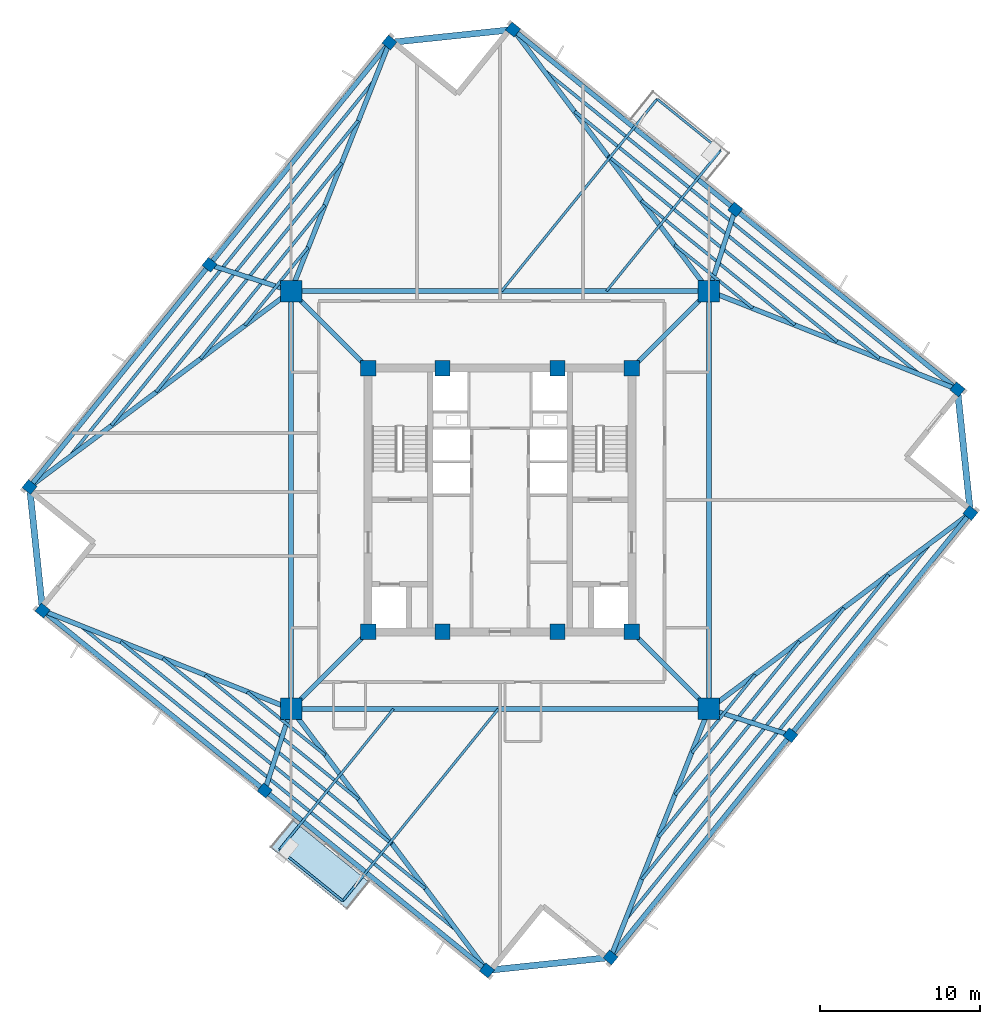
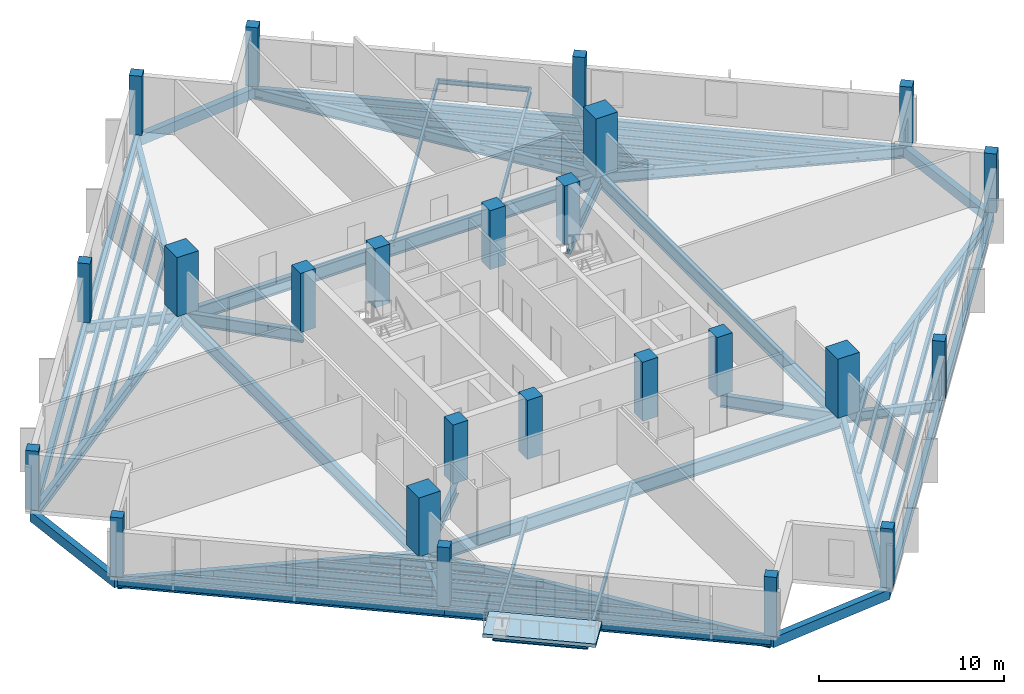
# One storey, part 1 of 10: 58 beams, 24 columns, 1 slab.
"""IFC4 building model written with IfcOpenShell, lengths in metres."""

from ifc_helpers import new_model, si_unit, direction, frame, origin, origin_2d, place, context, subcontext, project, spatial, polyline, rectangle, i_section, outline, extrude, source, transform, mapped, material, layer, layer_set, material_profile, profile_set, type_object, element, save


model = new_model("IFC4")

# Units and contexts
model_context = context("Model", 3, precision=1e-05, world=origin(), true_north=direction((0.0, 1.0)))
body_context = subcontext(model_context, "Body", "Model", "MODEL_VIEW")
ifc_project = project(units=[si_unit("LENGTHUNIT", "METRE"), si_unit("AREAUNIT", "SQUARE_METRE"), si_unit("VOLUMEUNIT", "CUBIC_METRE"), si_unit("PLANEANGLEUNIT", "RADIAN"), si_unit("MASSUNIT", "GRAM", prefix="KILO"), si_unit("THERMODYNAMICTEMPERATUREUNIT", "KELVIN")], contexts=[model_context])

# Site, building, storey
site_placement = place(None, origin())
site = spatial("IfcSite", under=ifc_project, at=site_placement, CompositionType="ELEMENT")
building_placement = place(site_placement, origin())
building = spatial("IfcBuilding", under=site, at=building_placement, Name="Kosmvard Interchange Tower", CompositionType="ELEMENT")
storey_placement = place(building_placement, frame((0.0, 0.0, 252.39990234375)))
storey = spatial("IfcBuildingStorey", under=building, at=storey_placement, Name="L61", CompositionType="ELEMENT", Elevation=252.39990234375)

# Columns
ifc_material_1 = material(Name="Concrete C60/75", Category="concrete")
ifc_material_profile_1 = material_profile(ifc_material_1, rectangle(XDim=0.949951171875, YDim=0.949951171875, at=origin_2d()), Name="CP 950x950")
ifc_profile_set_1 = profile_set([ifc_material_profile_1], Name="Concrete C60/75")
column_type_1 = type_object("IfcColumnType", Name="Core Boundary Pilaster 950x950 C60/75", PredefinedType="PILASTER", material=ifc_profile_set_1)
shared_shape_1 = source(origin(), body_context, "Body", "SweptSolid", [
    extrude(rectangle(XDim=0.949951171875, YDim=0.949951171875, at=origin_2d()), origin(), (0.0, 0.0, 1.0), 3.900146484375),
])
for number, where, z_axis, x_axis, name in (
    (1, (-8.25, -8.25, 0.0), (0.0, 0.0, 1.0), (1.0, 0.0, 0.0), "L61 Core Pilaster CP1"),
    (2, (8.25, -8.25, 0.0), (0.0, 0.0, 1.0), (1.0, 0.0, 0.0), "L61 Core Pilaster CP2"),
    (3, (8.25, 8.25, 0.0), (0.0, 0.0, 1.0), (1.0, 0.0, 0.0), "L61 Core Pilaster CP3"),
    (4, (-8.25, 8.25, 0.0), (0.0, 0.0, 1.0), (1.0, 0.0, 0.0), "L61 Core Pilaster CP4"),
    (5, (-3.60009765625, -8.25, 0.0), (0.0, 0.0, 1.0), (1.0, 0.0, 0.0), "L61 Core Pilaster CP5"),
    (6, (3.60009765625, -8.25, 0.0), (0.0, 0.0, 1.0), (1.0, 0.0, 0.0), "L61 Core Pilaster CP6"),
    (7, (-3.60009765625, 8.25, 0.0), (0.0, 0.0, 1.0), (1.0, 0.0, 0.0), "L61 Core Pilaster CP7"),
    (8, (3.60009765625, 8.25, 0.0), (0.0, 0.0, 1.0), (1.0, 0.0, 0.0), "L61 Core Pilaster CP8"),
):
    element("IfcColumn", number, at=place(storey_placement, frame(where, z_axis=z_axis, x_axis=x_axis)), inside=storey, type_object=column_type_1, Name=name, PredefinedType="PILASTER", context=body_context, shape_type="MappedRepresentation", body=[
        mapped(shared_shape_1, transform((0.0, 0.0, 0.0), scale=1.0)),
    ])
ifc_material_profile_2 = material_profile(ifc_material_1, rectangle(XDim=1.35009765625, YDim=1.35009765625, at=origin_2d()), Name="MC 1350x1350")
ifc_profile_set_2 = profile_set([ifc_material_profile_2], Name="Concrete C60/75")
column_type_2 = type_object("IfcColumnType", Name="Composite Mega-Column 1350x1350 C60/75", PredefinedType="COLUMN", material=ifc_profile_set_2)
shared_shape_2 = source(origin(), body_context, "Body", "SweptSolid", [
    extrude(rectangle(XDim=1.35009765625, YDim=1.35009765625, at=origin_2d()), origin(), (0.0, 0.0, 1.0), 3.900146484375),
])
for number, where, z_axis, x_axis, name in (
    (9, (-13.0810546875, -13.0810546875, 0.0), (0.0, 0.0, 1.0), (1.0, 0.0, 0.0), "L61 Corner Mega-Column MC1"),
    (10, (13.0810546875, -13.0810546875, 0.0), (0.0, 0.0, 1.0), (1.0, 0.0, 0.0), "L61 Corner Mega-Column MC2"),
    (11, (13.0810546875, 13.0810546875, 0.0), (0.0, 0.0, 1.0), (1.0, 0.0, 0.0), "L61 Corner Mega-Column MC3"),
    (12, (-13.0810546875, 13.0810546875, 0.0), (0.0, 0.0, 1.0), (1.0, 0.0, 0.0), "L61 Corner Mega-Column MC4"),
):
    element("IfcColumn", number, at=place(storey_placement, frame(where, z_axis=z_axis, x_axis=x_axis)), inside=storey, type_object=column_type_2, Name=name, PredefinedType="COLUMN", context=body_context, shape_type="MappedRepresentation", body=[
        mapped(shared_shape_2, transform((0.0, 0.0, 0.0), scale=1.0)),
    ])
ifc_material_2 = material(Name="Concrete C50/60", Category="concrete")
ifc_material_profile_3 = material_profile(ifc_material_2, rectangle(XDim=0.64990234375, YDim=0.699951171875, at=origin_2d()), Name="TC 700x650")
ifc_profile_set_3 = profile_set([ifc_material_profile_3], Name="Concrete C50/60")
column_type_3 = type_object("IfcColumnType", Name="Zone 4 Perimeter Pier Column 700x650 C50/60", PredefinedType="COLUMN", material=ifc_profile_set_3)
shared_shape_3 = source(origin(), body_context, "Body", "SweptSolid", [
    extrude(rectangle(XDim=0.64990234375, YDim=0.699951171875, at=origin_2d()), origin(), (0.0, 0.0, 1.0), 3.900146484375),
])
for number, where, z_axis, x_axis, name in (
    (13, (6.92041015625, -28.636962890625, 0.0), (0.0, 0.0, 1.0), (0.62932039105, 0.777145961457, 0.0), "L61 Perimeter Pier Column TC-S1"),
    (14, (18.185302734375, -14.72607421875, 0.0), (0.0, 0.0, 1.0), (0.62932039105, 0.777145961457, 0.0), "L61 Perimeter Pier Column TC-S2"),
    (15, (29.449951171875, -0.815185546875, 0.0), (0.0, 0.0, 1.0), (0.62932039105, 0.777145961457, 0.0), "L61 Perimeter Pier Column TC-S3"),
    (16, (28.636962890625, 6.92041015625, 0.0), (0.0, 0.0, 1.0), (0.62932039105, 0.777145961457, 0.0), "L61 Perimeter Pier Column TC-E1"),
    (17, (14.72607421875, 18.185302734375, 0.0), (0.0, 0.0, 1.0), (0.62932039105, 0.777145961457, 0.0), "L61 Perimeter Pier Column TC-E2"),
    (18, (0.815185546875, 29.449951171875, 0.0), (0.0, 0.0, 1.0), (0.62932039105, 0.777145961457, 0.0), "L61 Perimeter Pier Column TC-E3"),
    (19, (-6.92041015625, 28.636962890625, 0.0), (0.0, 0.0, 1.0), (0.62932039105, 0.777145961457, 0.0), "L61 Perimeter Pier Column TC-N1"),
    (20, (-18.185302734375, 14.72607421875, 0.0), (0.0, 0.0, 1.0), (0.62932039105, 0.777145961457, 0.0), "L61 Perimeter Pier Column TC-N2"),
    (21, (-29.449951171875, 0.815185546875, 0.0), (0.0, 0.0, 1.0), (0.62932039105, 0.777145961457, 0.0), "L61 Perimeter Pier Column TC-N3"),
    (22, (-28.636962890625, -6.92041015625, 0.0), (0.0, 0.0, 1.0), (0.62932039105, 0.777145961457, 0.0), "L61 Perimeter Pier Column TC-W1"),
    (23, (-14.72607421875, -18.185302734375, 0.0), (0.0, 0.0, 1.0), (0.62932039105, 0.777145961457, 0.0), "L61 Perimeter Pier Column TC-W2"),
    (24, (-0.815185546875, -29.449951171875, 0.0), (0.0, 0.0, 1.0), (0.62932039105, 0.777145961457, 0.0), "L61 Perimeter Pier Column TC-W3"),
):
    element("IfcColumn", number, at=place(storey_placement, frame(where, z_axis=z_axis, x_axis=x_axis)), inside=storey, type_object=column_type_3, Name=name, PredefinedType="COLUMN", context=body_context, shape_type="MappedRepresentation", body=[
        mapped(shared_shape_3, transform((0.0, 0.0, 0.0), scale=1.0)),
    ])

# Beams
ifc_material_3 = material(Name="Steel S355", Category="steel")
ifc_material_profile_4 = material_profile(ifc_material_3, i_section(OverallWidth=0.14990234375, OverallDepth=0.300048828125, WebThickness=0.007080078125, FlangeThickness=0.0107421875, FilletRadius=0.014892578125, at=origin_2d()), Name="IPE 300")
ifc_profile_set_4 = profile_set([ifc_material_profile_4], Name="Steel S355")
beam_type_1 = type_object("IfcBeamType", Name="Balcony Edge Header Joist IPE 300 S355", PredefinedType="JOIST", material=ifc_profile_set_4)
shared_shape_4 = source(origin(), body_context, "Body", "SweptSolid", [
    extrude(i_section(OverallWidth=0.14990234375, OverallDepth=0.300048828125, WebThickness=0.007080078125, FlangeThickness=0.0107421875, FilletRadius=0.014892578125, at=origin_2d()), origin(), (0.0, 0.0, 1.0), 5.099853515625),
])
for number, where, z_axis, x_axis, name in (
    (25, (13.80322265625, 21.89208984375, -0.389892578125), (-0.777146757369, 0.629319408179, 0.0), (-0.629319408179, -0.777146757369, 0.0), "BM-L61-BJH1"),
    (26, (-13.80322265625, -21.89208984375, -0.389892578125), (0.777146757369, -0.629319408179, 0.0), (0.629319408179, 0.777146757369, 0.0), "BM-L61-BJH2"),
):
    element("IfcBeam", number, at=place(storey_placement, frame(where, z_axis=z_axis, x_axis=x_axis)), inside=storey, type_object=beam_type_1, Name=name, PredefinedType="JOIST", context=body_context, shape_type="MappedRepresentation", body=[
        mapped(shared_shape_4, transform((0.0, 0.0, 0.0), scale=1.0)),
    ])
ifc_material_profile_5 = material_profile(ifc_material_3, i_section(OverallWidth=0.300048828125, OverallDepth=0.800048828125, WebThickness=0.017578125, FlangeThickness=0.032958984375, FilletRadius=0.027099609375, at=origin_2d()), Name="HEB 800")
ifc_profile_set_5 = profile_set([ifc_material_profile_5], Name="Steel S355")
beam_type_2 = type_object("IfcBeamType", Name="Primary Mega-Frame Girder HEB 800 S355", PredefinedType="BEAM", material=ifc_profile_set_5)
shared_shape_5 = source(origin(), body_context, "Body", "SweptSolid", [
    extrude(i_section(OverallWidth=0.300048828125, OverallDepth=0.800048828125, WebThickness=0.017578125, FlangeThickness=0.032958984375, FilletRadius=0.027099609375, at=origin_2d()), origin(), (0.0, 0.0, 1.0), 6.83203125),
])
for number, where, z_axis, x_axis, name in (
    (27, (-8.25, -8.25, -0.639892578125), (-0.707106781187, -0.707106781187, 0.0), (0.707106781187, -0.707106781187, 0.0), "L61 Radial Mega-Frame Girder 1"),
    (28, (8.25, -8.25, -0.639892578125), (0.707106781187, -0.707106781187, 0.0), (0.707106781187, 0.707106781187, 0.0), "L61 Radial Mega-Frame Girder 2"),
    (29, (8.25, 8.25, -0.639892578125), (0.707106781187, 0.707106781187, 0.0), (-0.707106781187, 0.707106781187, 0.0), "L61 Radial Mega-Frame Girder 3"),
    (30, (-8.25, 8.25, -0.639892578125), (-0.707106781187, 0.707106781187, 0.0), (-0.707106781187, -0.707106781187, 0.0), "L61 Radial Mega-Frame Girder 4"),
):
    element("IfcBeam", number, at=place(storey_placement, frame(where, z_axis=z_axis, x_axis=x_axis)), inside=storey, type_object=beam_type_2, Name=name, PredefinedType="BEAM", context=body_context, shape_type="MappedRepresentation", body=[
        mapped(shared_shape_5, transform((0.0, 0.0, 0.0), scale=1.0)),
    ])
ifc_material_profile_6 = material_profile(ifc_material_3, i_section(OverallWidth=0.300048828125, OverallDepth=0.89990234375, WebThickness=0.0185546875, FlangeThickness=0.034912109375, FilletRadius=0.030029296875, at=origin_2d()), Name="HEB 900")
ifc_profile_set_6 = profile_set([ifc_material_profile_6], Name="Steel S355")
beam_type_3 = type_object("IfcBeamType", Name="Mega-Column Ring Girder HEB 900 S355", PredefinedType="BEAM", material=ifc_profile_set_6)
shared_shape_6 = source(origin(), body_context, "Body", "SweptSolid", [
    extrude(i_section(OverallWidth=0.300048828125, OverallDepth=0.89990234375, WebThickness=0.0185546875, FlangeThickness=0.034912109375, FilletRadius=0.030029296875, at=origin_2d()), origin(), (0.0, 0.0, 1.0), 26.162109375),
])
for number, where, z_axis, x_axis, name in (
    (31, (-13.0810546875, -13.0810546875, -0.68994140625), (1.0, 0.0, 0.0), (0.0, 1.0, 0.0), "L61 Mega-Column Ring Girder 1"),
    (32, (13.0810546875, -13.0810546875, -0.68994140625), (0.0, 1.0, 0.0), (-1.0, 0.0, 0.0), "L61 Mega-Column Ring Girder 2"),
    (33, (13.0810546875, 13.0810546875, -0.68994140625), (-1.0, 0.0, 0.0), (0.0, -1.0, 0.0), "L61 Mega-Column Ring Girder 3"),
    (34, (-13.0810546875, 13.0810546875, -0.68994140625), (0.0, -1.0, 0.0), (1.0, 0.0, 0.0), "L61 Mega-Column Ring Girder 4"),
):
    element("IfcBeam", number, at=place(storey_placement, frame(where, z_axis=z_axis, x_axis=x_axis)), inside=storey, type_object=beam_type_3, Name=name, PredefinedType="BEAM", context=body_context, shape_type="MappedRepresentation", body=[
        mapped(shared_shape_6, transform((0.0, 0.0, 0.0), scale=1.0)),
    ])
ifc_material_profile_7 = material_profile(ifc_material_3, i_section(OverallWidth=0.300048828125, OverallDepth=0.60009765625, WebThickness=0.015380859375, FlangeThickness=0.030029296875, FilletRadius=0.027099609375, at=origin_2d()), Name="HEB 600")
ifc_profile_set_7 = profile_set([ifc_material_profile_7], Name="Steel S355")
beam_type_4 = type_object("IfcBeamType", Name="Perimeter Tie Girder HEB 600 S355", PredefinedType="BEAM", material=ifc_profile_set_7)
shared_shape_7 = source(origin(), body_context, "Body", "SweptSolid", [
    extrude(i_section(OverallWidth=0.300048828125, OverallDepth=0.60009765625, WebThickness=0.015380859375, FlangeThickness=0.030029296875, FilletRadius=0.027099609375, at=origin_2d()), origin(), (0.0, 0.0, 1.0), 17.89990234375),
])
for number, where, z_axis, x_axis, name in (
    (35, (6.92041015625, -28.636962890625, -0.539794921875), (0.629322990554, 0.777143856413, 0.0), (-0.777143856413, 0.629322990554, 0.0), "BM-L61-PR01"),
    (36, (18.185302734375, -14.72607421875, -0.539794921875), (0.629314753061, 0.777150526976, 0.0), (-0.777150526976, 0.629314753061, 0.0), "BM-L61-PR02"),
    (37, (28.636962890625, 6.92041015625, -0.539794921875), (-0.777143856413, 0.629322990554, 0.0), (-0.629322990554, -0.777143856413, 0.0), "BM-L61-PR04"),
    (38, (14.72607421875, 18.185302734375, -0.539794921875), (-0.777150526976, 0.629314753061, 0.0), (-0.629314753061, -0.777150526976, 0.0), "BM-L61-PR05"),
    (39, (-6.92041015625, 28.636962890625, -0.539794921875), (-0.629322990554, -0.777143856413, 0.0), (0.777143856413, -0.629322990554, 0.0), "BM-L61-PR07"),
    (40, (-18.185302734375, 14.72607421875, -0.539794921875), (-0.629314753061, -0.777150526976, 0.0), (0.777150526976, -0.629314753061, 0.0), "BM-L61-PR08"),
    (41, (-28.636962890625, -6.92041015625, -0.539794921875), (0.777143856413, -0.629322990554, 0.0), (0.629322990554, 0.777143856413, 0.0), "BM-L61-PR10"),
    (42, (-14.72607421875, -18.185302734375, -0.539794921875), (0.777150526976, -0.629314753061, 0.0), (0.629314753061, 0.777150526976, 0.0), "BM-L61-PR11"),
):
    element("IfcBeam", number, at=place(storey_placement, frame(where, z_axis=z_axis, x_axis=x_axis)), inside=storey, type_object=beam_type_4, Name=name, PredefinedType="BEAM", context=body_context, shape_type="MappedRepresentation", body=[
        mapped(shared_shape_7, transform((0.0, 0.0, 0.0), scale=1.0)),
    ])
ifc_material_profile_8 = material_profile(ifc_material_3, i_section(OverallWidth=0.300048828125, OverallDepth=0.699951171875, WebThickness=0.01708984375, FlangeThickness=0.031982421875, FilletRadius=0.027099609375, at=origin_2d()), Name="HEB 700")
ifc_profile_set_8 = profile_set([ifc_material_profile_8], Name="Steel S355")
beam_type_5 = type_object("IfcBeamType", Name="Primary Floor Girder HEB 700 S355", PredefinedType="BEAM", material=ifc_profile_set_8)
shared_shape_8 = source(origin(), body_context, "Body", "SweptSolid", [
    extrude(i_section(OverallWidth=0.300048828125, OverallDepth=0.699951171875, WebThickness=0.01708984375, FlangeThickness=0.031982421875, FilletRadius=0.027099609375, at=origin_2d()), origin(), (0.0, 0.0, 1.0), 16.7314453125),
])
for number, where, z_axis, x_axis, name in (
    (43, (13.0810546875, -13.0810546875, -0.58984375), (-0.368208500474, -0.929743244223, 0.0), (0.929743244223, -0.368208500474, 0.0), "BM-L61-RD01"),
    (44, (13.0810546875, 13.0810546875, -0.58984375), (0.929743244223, -0.368208500474, 0.0), (0.368208500474, 0.929743244223, 0.0), "BM-L61-RD04"),
    (45, (-13.0810546875, 13.0810546875, -0.58984375), (0.368208500474, 0.929743244223, 0.0), (-0.929743244223, 0.368208500474, 0.0), "BM-L61-RD07"),
    (46, (-13.0810546875, -13.0810546875, -0.58984375), (-0.929743244223, 0.368208500474, 0.0), (-0.368208500474, -0.929743244223, 0.0), "BM-L61-RD10"),
):
    element("IfcBeam", number, at=place(storey_placement, frame(where, z_axis=z_axis, x_axis=x_axis)), inside=storey, type_object=beam_type_5, Name=name, PredefinedType="BEAM", context=body_context, shape_type="MappedRepresentation", body=[
        mapped(shared_shape_8, transform((0.0, 0.0, 0.0), scale=1.0)),
    ])
ifc_material_profile_9 = material_profile(ifc_material_3, i_section(OverallWidth=0.300048828125, OverallDepth=0.64990234375, WebThickness=0.01611328125, FlangeThickness=0.031005859375, FilletRadius=0.027099609375, at=origin_2d()), Name="HEB 650")
ifc_profile_set_9 = profile_set([ifc_material_profile_9], Name="Steel S355")
beam_type_6 = type_object("IfcBeamType", Name="Primary Floor Girder HEB 650 S355", PredefinedType="BEAM", material=ifc_profile_set_9)
shared_shape_9 = source(origin(), body_context, "Body", "SweptSolid", [
    extrude(i_section(OverallWidth=0.300048828125, OverallDepth=0.64990234375, WebThickness=0.01611328125, FlangeThickness=0.031005859375, FilletRadius=0.027099609375, at=origin_2d()), origin(), (0.0, 0.0, 1.0), 5.36279296875),
])
for number, where, z_axis, x_axis, name in (
    (47, (13.0810546875, -13.0810546875, -0.56494140625), (0.951790966135, -0.306747382686, 0.0), (0.306747382686, 0.951790966135, 0.0), "BM-L61-RD02"),
    (48, (13.0810546875, 13.0810546875, -0.56494140625), (0.306747382686, 0.951790966135, 0.0), (-0.951790966135, 0.306747382686, 0.0), "BM-L61-RD05"),
    (49, (-13.0810546875, 13.0810546875, -0.56494140625), (-0.951790966135, 0.306747382686, 0.0), (-0.306747382686, -0.951790966135, 0.0), "BM-L61-RD08"),
    (50, (-13.0810546875, -13.0810546875, -0.56494140625), (-0.306747382686, -0.951790966135, 0.0), (0.951790966135, -0.306747382686, 0.0), "BM-L61-RD11"),
):
    element("IfcBeam", number, at=place(storey_placement, frame(where, z_axis=z_axis, x_axis=x_axis)), inside=storey, type_object=beam_type_6, Name=name, PredefinedType="BEAM", context=body_context, shape_type="MappedRepresentation", body=[
        mapped(shared_shape_9, transform((0.0, 0.0, 0.0), scale=1.0)),
    ])
ifc_material_4 = material(Name="Precast concrete C45/55", Category="concrete")
ifc_material_profile_10 = material_profile(ifc_material_4, rectangle(XDim=0.39990234375, YDim=0.64990234375, at=origin_2d()), Name="SL 400x650")
ifc_profile_set_10 = profile_set([ifc_material_profile_10], Name="Precast concrete C45/55")
beam_type_7 = type_object("IfcBeamType", Name="Precast Spandrel Lintel 400x650 C45/55", PredefinedType="LINTEL", material=ifc_profile_set_10)
shared_shape_10 = source(origin(), body_context, "Body", "SweptSolid", [
    extrude(rectangle(XDim=0.39990234375, YDim=0.64990234375, at=origin_2d()), origin(), (0.0, 0.0, 1.0), 7.7783203125),
])
for number, where, z_axis, x_axis, name in (
    (51, (29.449951171875, -0.815185546875, -0.56494140625), (-0.104521394525, 0.994522638298, 0.0), (-0.994522638298, -0.104521394525, 0.0), "BM-L61-SL1"),
    (52, (0.815185546875, 29.449951171875, -0.56494140625), (-0.994522638298, -0.104521394525, 0.0), (0.104521394525, -0.994522638298, 0.0), "BM-L61-SL2"),
    (53, (-29.449951171875, 0.815185546875, -0.56494140625), (0.104521394525, -0.994522638298, 0.0), (0.994522638298, 0.104521394525, 0.0), "BM-L61-SL3"),
    (54, (-0.815185546875, -29.449951171875, -0.56494140625), (0.994522638298, 0.104521394525, 0.0), (-0.104521394525, 0.994522638298, 0.0), "BM-L61-SL4"),
):
    element("IfcBeam", number, at=place(storey_placement, frame(where, z_axis=z_axis, x_axis=x_axis)), inside=storey, type_object=beam_type_7, Name=name, PredefinedType="LINTEL", context=body_context, shape_type="MappedRepresentation", body=[
        mapped(shared_shape_10, transform((0.0, 0.0, 0.0), scale=1.0)),
    ])
shared_shape_11 = source(origin(), body_context, "Body", "SweptSolid", [
    extrude(i_section(OverallWidth=0.300048828125, OverallDepth=0.699951171875, WebThickness=0.01708984375, FlangeThickness=0.031982421875, FilletRadius=0.027099609375, at=origin_2d()), origin(), (0.0, 0.0, 1.0), 20.45458984375),
])
for number, where, z_axis, x_axis, name in (
    (55, (13.0810546875, -13.0810546875, -0.58984375), (0.800253443036, 0.599661927179, 0.0), (-0.599661927179, 0.800253443036, 0.0), "BM-L61-RD03"),
    (56, (13.0810546875, 13.0810546875, -0.58984375), (-0.599661927179, 0.800253443036, 0.0), (-0.800253443036, -0.599661927179, 0.0), "BM-L61-RD06"),
    (57, (-13.0810546875, 13.0810546875, -0.58984375), (-0.800253443036, -0.599661927179, 0.0), (0.599661927179, -0.800253443036, 0.0), "BM-L61-RD09"),
    (58, (-13.0810546875, -13.0810546875, -0.58984375), (0.599661927179, -0.800253443036, 0.0), (0.800253443036, 0.599661927179, 0.0), "BM-L61-RD12"),
):
    element("IfcBeam", number, at=place(storey_placement, frame(where, z_axis=z_axis, x_axis=x_axis)), inside=storey, type_object=beam_type_5, Name=name, PredefinedType="BEAM", context=body_context, shape_type="MappedRepresentation", body=[
        mapped(shared_shape_11, transform((0.0, 0.0, 0.0), scale=1.0)),
    ])
ifc_material_profile_11 = material_profile(ifc_material_3, i_section(OverallWidth=0.18994140625, OverallDepth=0.449951171875, WebThickness=0.009521484375, FlangeThickness=0.0146484375, FilletRadius=0.02099609375, at=origin_2d()), Name="IPE 450")
ifc_profile_set_11 = profile_set([ifc_material_profile_11], Name="Steel S355")
beam_type_8 = type_object("IfcBeamType", Name="Mid-Rise Floor Joist IPE 450 S355", PredefinedType="JOIST", material=ifc_profile_set_11)
shared_shape_12 = source(origin(), body_context, "Body", "SweptSolid", [
    extrude(i_section(OverallWidth=0.18994140625, OverallDepth=0.449951171875, WebThickness=0.009521484375, FlangeThickness=0.0146484375, FilletRadius=0.02099609375, at=origin_2d()), origin(), (0.0, 0.0, 1.0), 6.283935546875),
])
for number, where, z_axis, x_axis, name in (
    (59, (12.0224609375, -15.81884765625, -0.46484375), (0.629317809561, 0.777148051898, 0.0), (-0.777148051898, 0.629317809561, 0.0), "BM-L61-FJ01"),
    (60, (15.81884765625, 12.0224609375, -0.46484375), (-0.777148051898, 0.629317809561, 0.0), (-0.629317809561, -0.777148051898, 0.0), "BM-L61-FJ06"),
    (61, (-12.0224609375, 15.81884765625, -0.46484375), (-0.629317809561, -0.777148051898, 0.0), (0.777148051898, -0.629317809561, 0.0), "BM-L61-FJ11"),
    (62, (-15.81884765625, -12.0224609375, -0.46484375), (0.777148051898, -0.629317809561, 0.0), (0.629317809561, 0.777148051898, 0.0), "BM-L61-FJ16"),
):
    element("IfcBeam", number, at=place(storey_placement, frame(where, z_axis=z_axis, x_axis=x_axis)), inside=storey, type_object=beam_type_8, Name=name, PredefinedType="JOIST", context=body_context, shape_type="MappedRepresentation", body=[
        mapped(shared_shape_12, transform((0.0, 0.0, 0.0), scale=1.0)),
    ])
shared_shape_13 = source(origin(), body_context, "Body", "SweptSolid", [
    extrude(i_section(OverallWidth=0.18994140625, OverallDepth=0.449951171875, WebThickness=0.009521484375, FlangeThickness=0.0146484375, FilletRadius=0.02099609375, at=origin_2d()), origin(), (0.0, 0.0, 1.0), 12.369873046875),
])
for number, where, z_axis, x_axis, name in (
    (63, (10.97509765625, -18.46337890625, -0.46484375), (0.629319722443, 0.777146502883, 0.0), (-0.777146502883, 0.629319722443, 0.0), "BM-L61-FJ02"),
    (64, (18.46337890625, 10.97509765625, -0.46484375), (-0.777146502883, 0.629319722443, 0.0), (-0.629319722443, -0.777146502883, 0.0), "BM-L61-FJ07"),
    (65, (-10.97509765625, 18.46337890625, -0.46484375), (-0.629319722443, -0.777146502883, 0.0), (0.777146502883, -0.629319722443, 0.0), "BM-L61-FJ12"),
    (66, (-18.46337890625, -10.97509765625, -0.46484375), (0.777146502883, -0.629319722443, 0.0), (0.629319722443, 0.777146502883, 0.0), "BM-L61-FJ17"),
):
    element("IfcBeam", number, at=place(storey_placement, frame(where, z_axis=z_axis, x_axis=x_axis)), inside=storey, type_object=beam_type_8, Name=name, PredefinedType="JOIST", context=body_context, shape_type="MappedRepresentation", body=[
        mapped(shared_shape_13, transform((0.0, 0.0, 0.0), scale=1.0)),
    ])
ifc_material_profile_12 = material_profile(ifc_material_3, i_section(OverallWidth=0.199951171875, OverallDepth=0.5, WebThickness=0.01025390625, FlangeThickness=0.01611328125, FilletRadius=0.02099609375, at=origin_2d()), Name="IPE 500")
ifc_profile_set_12 = profile_set([ifc_material_profile_12], Name="Steel S355")
beam_type_9 = type_object("IfcBeamType", Name="Standard Floor Joist IPE 500 S355", PredefinedType="JOIST", material=ifc_profile_set_12)
shared_shape_14 = source(origin(), body_context, "Body", "SweptSolid", [
    extrude(i_section(OverallWidth=0.199951171875, OverallDepth=0.5, WebThickness=0.01025390625, FlangeThickness=0.01611328125, FilletRadius=0.02099609375, at=origin_2d()), origin(), (0.0, 0.0, 1.0), 18.4560546875),
])
for number, where, z_axis, x_axis, name in (
    (67, (9.927734375, -21.10791015625, -0.489990234375), (0.629320373744, 0.777145975471, 0.0), (-0.777145975471, 0.629320373744, 0.0), "BM-L61-FJ03"),
    (68, (21.10791015625, 9.927734375, -0.489990234375), (-0.777145975471, 0.629320373744, 0.0), (-0.629320373744, -0.777145975471, 0.0), "BM-L61-FJ08"),
    (69, (-9.927734375, 21.10791015625, -0.489990234375), (-0.629320373744, -0.777145975471, 0.0), (0.777145975471, -0.629320373744, 0.0), "BM-L61-FJ13"),
    (70, (-21.10791015625, -9.927734375, -0.489990234375), (0.777145975471, -0.629320373744, 0.0), (0.629320373744, 0.777145975471, 0.0), "BM-L61-FJ18"),
):
    element("IfcBeam", number, at=place(storey_placement, frame(where, z_axis=z_axis, x_axis=x_axis)), inside=storey, type_object=beam_type_9, Name=name, PredefinedType="JOIST", context=body_context, shape_type="MappedRepresentation", body=[
        mapped(shared_shape_14, transform((0.0, 0.0, 0.0), scale=1.0)),
    ])
shared_shape_15 = source(origin(), body_context, "Body", "SweptSolid", [
    extrude(i_section(OverallWidth=0.199951171875, OverallDepth=0.5, WebThickness=0.01025390625, FlangeThickness=0.01611328125, FilletRadius=0.02099609375, at=origin_2d()), origin(), (0.0, 0.0, 1.0), 24.5419921875),
])
for number, where, z_axis, x_axis, name in (
    (71, (8.880615234375, -23.75244140625, -0.489990234375), (0.629314693907, 0.777150574878, 0.0), (-0.777150574878, 0.629314693907, 0.0), "BM-L61-FJ04"),
    (72, (23.75244140625, 8.880615234375, -0.489990234375), (-0.777150574878, 0.629314693907, 0.0), (-0.629314693907, -0.777150574878, 0.0), "BM-L61-FJ09"),
    (73, (-8.880615234375, 23.75244140625, -0.489990234375), (-0.629314693907, -0.777150574878, 0.0), (0.777150574878, -0.629314693907, 0.0), "BM-L61-FJ14"),
    (74, (-23.75244140625, -8.880615234375, -0.489990234375), (0.777150574878, -0.629314693907, 0.0), (0.629314693907, 0.777150574878, 0.0), "BM-L61-FJ19"),
):
    element("IfcBeam", number, at=place(storey_placement, frame(where, z_axis=z_axis, x_axis=x_axis)), inside=storey, type_object=beam_type_9, Name=name, PredefinedType="JOIST", context=body_context, shape_type="MappedRepresentation", body=[
        mapped(shared_shape_15, transform((0.0, 0.0, 0.0), scale=1.0)),
    ])
shared_shape_16 = source(origin(), body_context, "Body", "SweptSolid", [
    extrude(i_section(OverallWidth=0.199951171875, OverallDepth=0.5, WebThickness=0.01025390625, FlangeThickness=0.01611328125, FilletRadius=0.02099609375, at=origin_2d()), origin(), (0.0, 0.0, 1.0), 30.27001953125),
])
for number, where, z_axis, x_axis, name in (
    (75, (7.894775390625, -26.241455078125, -0.489990234375), (0.629321655027, 0.777144937907, 0.0), (-0.777144937907, 0.629321655027, 0.0), "BM-L61-FJ05"),
    (76, (26.241455078125, 7.894775390625, -0.489990234375), (-0.777144937907, 0.629321655027, 0.0), (-0.629321655027, -0.777144937907, 0.0), "BM-L61-FJ10"),
    (77, (-7.894775390625, 26.241455078125, -0.489990234375), (-0.629321655027, -0.777144937907, 0.0), (0.777144937907, -0.629321655027, 0.0), "BM-L61-FJ15"),
    (78, (-26.241455078125, -7.894775390625, -0.489990234375), (0.777144937907, -0.629321655027, 0.0), (0.629321655027, 0.777144937907, 0.0), "BM-L61-FJ20"),
):
    element("IfcBeam", number, at=place(storey_placement, frame(where, z_axis=z_axis, x_axis=x_axis)), inside=storey, type_object=beam_type_9, Name=name, PredefinedType="JOIST", context=body_context, shape_type="MappedRepresentation", body=[
        mapped(shared_shape_16, transform((0.0, 0.0, 0.0), scale=1.0)),
    ])
ifc_material_profile_13 = material_profile(ifc_material_3, i_section(OverallWidth=0.159912109375, OverallDepth=0.330078125, WebThickness=0.007568359375, FlangeThickness=0.011474609375, FilletRadius=0.01806640625, at=origin_2d()), Name="IPE 330")
ifc_profile_set_13 = profile_set([ifc_material_profile_13], Name="Steel S355")
beam_type_10 = type_object("IfcBeamType", Name="Balcony Cantilever Joist IPE 330 S355", PredefinedType="JOIST", material=ifc_profile_set_13)
shared_shape_17 = source(origin(), body_context, "Body", "SweptSolid", [
    extrude(i_section(OverallWidth=0.159912109375, OverallDepth=0.330078125, WebThickness=0.007568359375, FlangeThickness=0.011474609375, FilletRadius=0.01806640625, at=origin_2d()), origin(), (0.0, 0.0, 1.0), 11.337646484375),
])
for number, where, z_axis, x_axis, name in (
    (79, (6.668212890625, 13.0810546875, -0.40478515625), (0.629319015631, 0.777147075247, 0.0), (-0.777147075247, 0.629319015631, 0.0), "BM-L61-BJ1"),
    (80, (-6.668212890625, -13.0810546875, -0.40478515625), (-0.629319015631, -0.777147075247, 0.0), (0.777147075247, -0.629319015631, 0.0), "BM-L61-BJ2"),
):
    element("IfcBeam", number, at=place(storey_placement, frame(where, z_axis=z_axis, x_axis=x_axis)), inside=storey, type_object=beam_type_10, Name=name, PredefinedType="JOIST", context=body_context, shape_type="MappedRepresentation", body=[
        mapped(shared_shape_17, transform((0.0, 0.0, 0.0), scale=1.0)),
    ])
shared_shape_18 = source(origin(), body_context, "Body", "SweptSolid", [
    extrude(i_section(OverallWidth=0.159912109375, OverallDepth=0.330078125, WebThickness=0.007568359375, FlangeThickness=0.011474609375, FilletRadius=0.01806640625, at=origin_2d()), origin(), (0.0, 0.0, 1.0), 15.467529296875),
])
for number, where, z_axis, x_axis, name in (
    (81, (0.105712890625, 13.0810546875, -0.40478515625), (0.629324903336, 0.777142307458, 0.0), (-0.777142307458, 0.629324903336, 0.0), "BM-L61-BJB1"),
    (82, (-0.105712890625, -13.0810546875, -0.40478515625), (-0.629324903336, -0.777142307458, 0.0), (0.777142307458, -0.629324903336, 0.0), "BM-L61-BJB2"),
):
    element("IfcBeam", number, at=place(storey_placement, frame(where, z_axis=z_axis, x_axis=x_axis)), inside=storey, type_object=beam_type_10, Name=name, PredefinedType="JOIST", context=body_context, shape_type="MappedRepresentation", body=[
        mapped(shared_shape_18, transform((0.0, 0.0, 0.0), scale=1.0)),
    ])

# Slab
ifc_layer = layer(ifc_material_2, 0.22998046875, Name="Concrete C50/60")
ifc_layer_set = layer_set([ifc_layer], Name="Concrete C50/60")
slab_type = type_object("IfcSlabType", Name="Tree-Planter Cantilever Balcony Slab 230 C50/60", PredefinedType="FLOOR", material=ifc_layer_set)
slab_placement = place(storey_placement, frame((0.0, 0.0, -0.22998046875)))
element("IfcSlab", 83, at=slab_placement, inside=storey, type_object=slab_type, Name="L61 Outdoor Terrace Balcony Slab BAL-L61-W", PredefinedType="FLOOR", context=body_context, shape_type="SweptSolid", body=[
    extrude(outline(polyline([(-9.569580078125, -25.64208984375), (-8.185302734375, -23.932373046875), (-13.00341796875, -20.030517578125), (-14.387939453125, -21.740234375), (-9.569580078125, -25.64208984375)])), origin(), (0.0, 0.0, 1.0), 0.22998046875),
])

save(model, "model.ifc")
